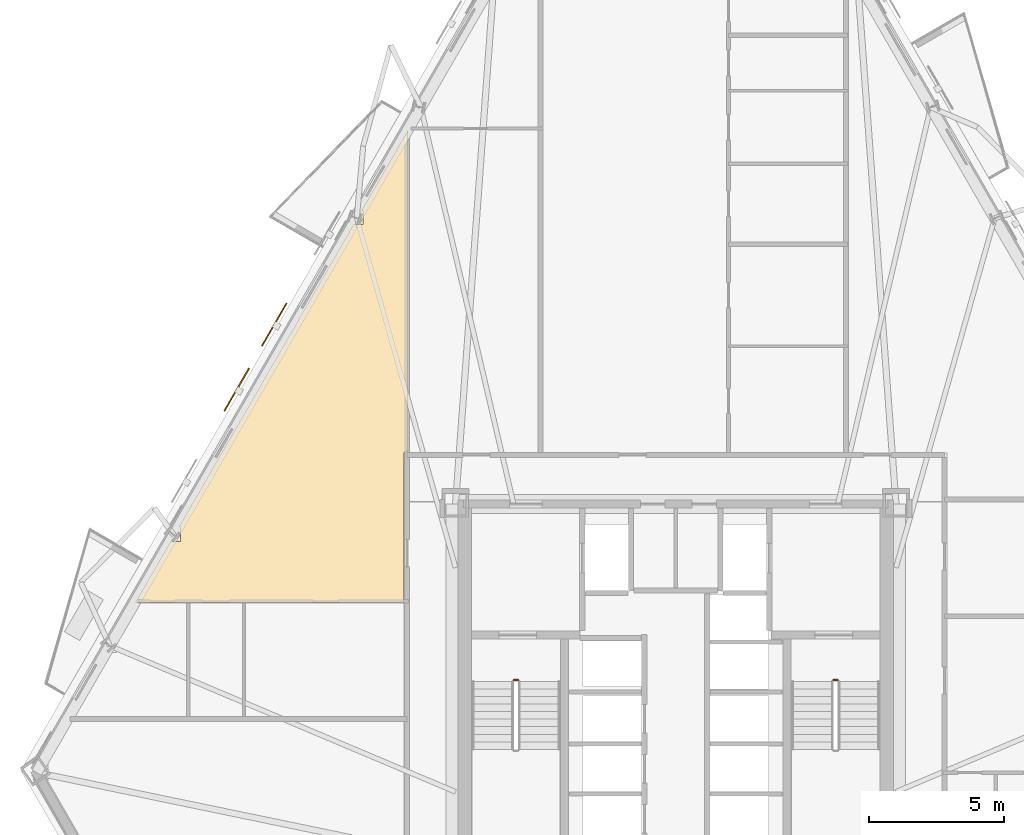
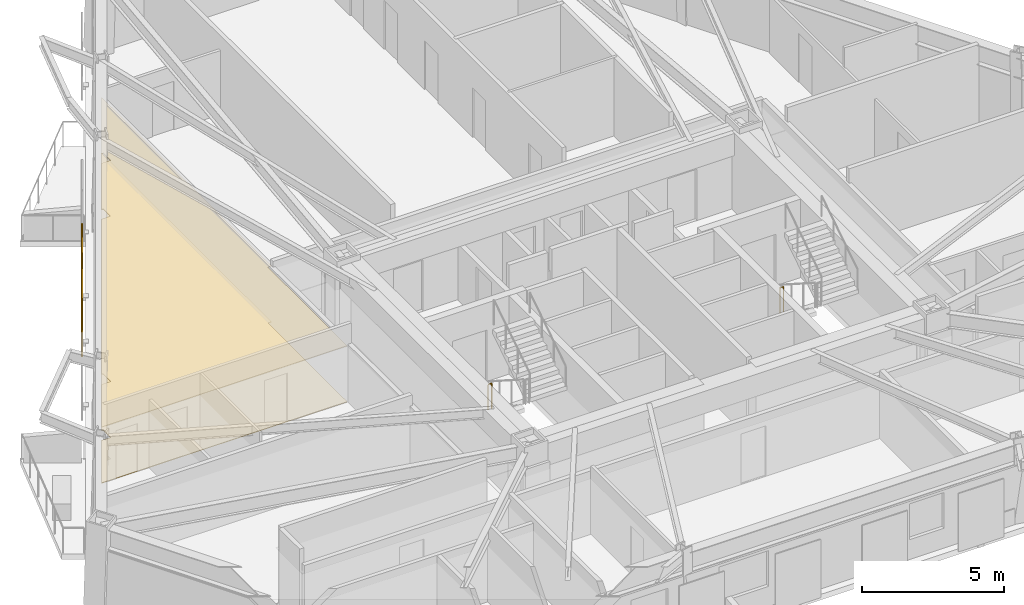
# One storey, part 9 of 10: 2 coverings, 2 railings, 2 shading devices.
"""IFC4 building model written with IfcOpenShell, lengths in metres."""

from ifc_helpers import new_model, si_unit, direction, frame, origin, origin_2d, place, context, subcontext, project, spatial, polyline, rectangle, circle, outline, extrude, material, layer, layer_set, type_object, element, save


model = new_model("IFC4")

# Units and contexts
model_context = context("Model", 3, precision=1e-05, world=origin(), true_north=direction((0.0, 1.0)))
body_context = subcontext(model_context, "Body", "Model", "MODEL_VIEW")
ifc_project = project(units=[si_unit("LENGTHUNIT", "METRE"), si_unit("AREAUNIT", "SQUARE_METRE"), si_unit("VOLUMEUNIT", "CUBIC_METRE"), si_unit("PLANEANGLEUNIT", "RADIAN"), si_unit("MASSUNIT", "GRAM", prefix="KILO")], contexts=[model_context])

# Site, building, storey
site_placement = place(None, origin())
site = spatial("IfcSite", under=ifc_project, at=site_placement, CompositionType="ELEMENT")
building_placement = place(site_placement, origin())
building = spatial("IfcBuilding", under=site, at=building_placement, Name="Oramaril Tower", CompositionType="ELEMENT")
storey_placement = place(building_placement, frame((0.0, 0.0, 66.89990234375)))
storey = spatial("IfcBuildingStorey", under=building, at=storey_placement, Name="L17", CompositionType="ELEMENT", Elevation=66.89990234375)

# Coverings
ifc_material_1 = material(Name="Mineral Fibre Acoustic Ceiling")
ifc_layer_1 = layer(ifc_material_1, 0.02001953125)
ifc_layer_set_1 = layer_set([ifc_layer_1], Name="CVT-CEIL")
covering_type_1 = type_object("IfcCoveringType", Name="CVT-CEIL", PredefinedType="CEILING", material=ifc_layer_set_1)
covering_1_placement = place(storey_placement, frame((0.0, 0.0, 2.400146484375)))
element("IfcCovering", 1, at=covering_1_placement, inside=storey, type_object=covering_type_1, Name="L17 Acoustic Suspended Ceiling 13", PredefinedType="CEILING", context=body_context, shape_type="SweptSolid", body=[
    extrude(outline(polyline([(18.8037109375, 22.76953125), (19.162353515625, 22.76953125), (19.162353515625, 23.305908203125), (19.113525390625, 23.305908203125), (25.57421875, 34.495849609375), (25.9326171875, 34.495849609375), (25.9326171875, 35.002197265625), (25.8662109375, 35.002197265625), (27.592041015625, 37.9912109375), (27.592041015625, 26.070068359375), (27.469970703125, 26.070068359375), (27.468017578125, 26.06982421875), (27.466064453125, 26.069580078125), (27.464111328125, 26.069091796875), (27.46240234375, 26.068603515625), (27.460693359375, 26.067626953125), (27.458984375, 26.066650390625), (27.457275390625, 26.0654296875), (27.455810546875, 26.064208984375), (27.45458984375, 26.062744140625), (27.453369140625, 26.06103515625), (27.452392578125, 26.059326171875), (27.451416015625, 26.0576171875), (27.450927734375, 26.055908203125), (27.450439453125, 26.053955078125), (27.4501953125, 26.052001953125), (27.449951171875, 26.050048828125), (27.449951171875, 24.239990234375), (27.4501953125, 24.238037109375), (27.450439453125, 24.236083984375), (27.450927734375, 24.234130859375), (27.451416015625, 24.232421875), (27.452392578125, 24.230712890625), (27.45263671875, 24.22998046875), (27.452392578125, 24.2294921875), (27.451416015625, 24.227783203125), (27.450927734375, 24.225830078125), (27.450439453125, 24.223876953125), (27.4501953125, 24.221923828125), (27.449951171875, 24.219970703125), (27.449951171875, 20.508056640625), (17.498046875, 20.508056640625), (18.8037109375, 22.76953125)])), origin(), (0.0, 0.0, 1.0), 0.02001953125),
])
ifc_material_2 = material(Name="Honed Quartzite Stone Flooring", Category="masonry")
ifc_layer_2 = layer(ifc_material_2, 0.02490234375)
ifc_layer_set_2 = layer_set([ifc_layer_2], Name="CVT-FLR")
covering_type_2 = type_object("IfcCoveringType", Name="CVT-FLR", PredefinedType="FLOORING", material=ifc_layer_set_2)
covering_2_placement = place(storey_placement, origin())
element("IfcCovering", 2, at=covering_2_placement, inside=storey, type_object=covering_type_2, Name="L17 Honed Stone Floor Finish 13", PredefinedType="FLOORING", context=body_context, shape_type="SweptSolid", body=[
    extrude(outline(polyline([(18.8037109375, 22.76953125), (19.162353515625, 22.76953125), (19.162353515625, 23.305908203125), (19.113525390625, 23.305908203125), (25.57421875, 34.495849609375), (25.9326171875, 34.495849609375), (25.9326171875, 35.002197265625), (25.8662109375, 35.002197265625), (27.592041015625, 37.9912109375), (27.592041015625, 26.070068359375), (27.469970703125, 26.070068359375), (27.468017578125, 26.06982421875), (27.466064453125, 26.069580078125), (27.464111328125, 26.069091796875), (27.46240234375, 26.068603515625), (27.460693359375, 26.067626953125), (27.458984375, 26.066650390625), (27.457275390625, 26.0654296875), (27.455810546875, 26.064208984375), (27.45458984375, 26.062744140625), (27.453369140625, 26.06103515625), (27.452392578125, 26.059326171875), (27.451416015625, 26.0576171875), (27.450927734375, 26.055908203125), (27.450439453125, 26.053955078125), (27.4501953125, 26.052001953125), (27.449951171875, 26.050048828125), (27.449951171875, 24.239990234375), (27.4501953125, 24.238037109375), (27.450439453125, 24.236083984375), (27.450927734375, 24.234130859375), (27.451416015625, 24.232421875), (27.452392578125, 24.230712890625), (27.45263671875, 24.22998046875), (27.452392578125, 24.2294921875), (27.451416015625, 24.227783203125), (27.450927734375, 24.225830078125), (27.450439453125, 24.223876953125), (27.4501953125, 24.221923828125), (27.449951171875, 24.219970703125), (27.449951171875, 20.508056640625), (17.498046875, 20.508056640625), (18.8037109375, 22.76953125)])), origin(), (0.0, 0.0, 1.0), 0.025146484375),
])

# Railings
ifc_material_3 = material(Name="Stainless Steel 316L", Category="steel")
railing_type = type_object("IfcRailingType", Name="RLT-GRD", PredefinedType="GUARDRAIL", material=ifc_material_3)
for number, where, name in (
    (3, (31.510009765625, 17.639892578125, 0.0), "L17 ST-1 stair guard 4"),
    (4, (43.340087890625, 17.639892578125, 0.0), "L17 ST-2 stair guard 4"),
):
    element("IfcRailing", number, at=place(storey_placement, frame(where)), inside=storey, type_object=railing_type, Name=name, PredefinedType="GUARDRAIL", context=body_context, shape_type="SweptSolid", body=[
        extrude(circle(Radius=0.02392578125, at=origin_2d()), frame((0.0, 0.0, 1.076171875), z_axis=(1.0, 0.0, 0.0), x_axis=(0.0, 1.0, 0.0)), (0.0, 0.0, 1.0), 0.14990234375),
        extrude(circle(Radius=0.02099609375, at=origin_2d()), origin(), (0.0, 0.0, 1.0), 1.052001953125),
        extrude(circle(Radius=0.02099609375, at=origin_2d()), frame((0.14990234375, 0.0, 0.0)), (0.0, 0.0, 1.0), 1.052001953125),
    ])

# Shading devices
for number, where, z_axis, x_axis, name in (
    (5, (22.642578125, 30.794189453125, -0.02001953125), (0.0, 0.0, 1.0), (-0.5, -0.866025403784, 0.0), "L17 Perforated Ceramic Solar Screen"),
    (6, (21.25146484375, 28.384765625, -0.02001953125), (0.0, 0.0, 1.0), (-0.5, -0.866025403784, 0.0), "L17 Perforated Ceramic Solar Screen"),
):
    element("IfcShadingDevice", number, at=place(storey_placement, frame(where, z_axis=z_axis, x_axis=x_axis)), inside=storey, Name=name, ObjectType="SCREEN", PredefinedType="USERDEFINED", context=body_context, shape_type="SweptSolid", body=[
        extrude(rectangle(XDim=1.8330078125, YDim=0.050048828125, at=origin_2d()), origin(), (0.0, 0.0, 1.0), 2.493896484375),
    ])

save(model, "model.ifc")
